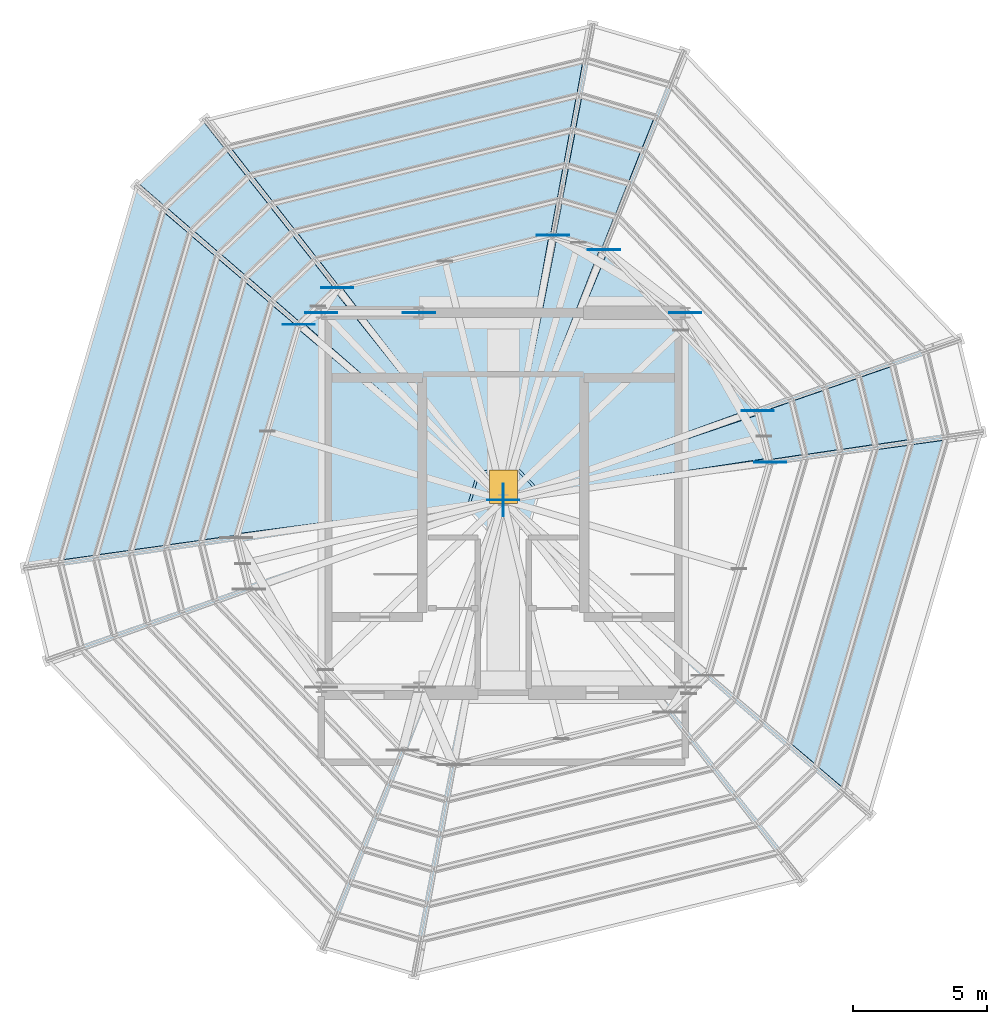
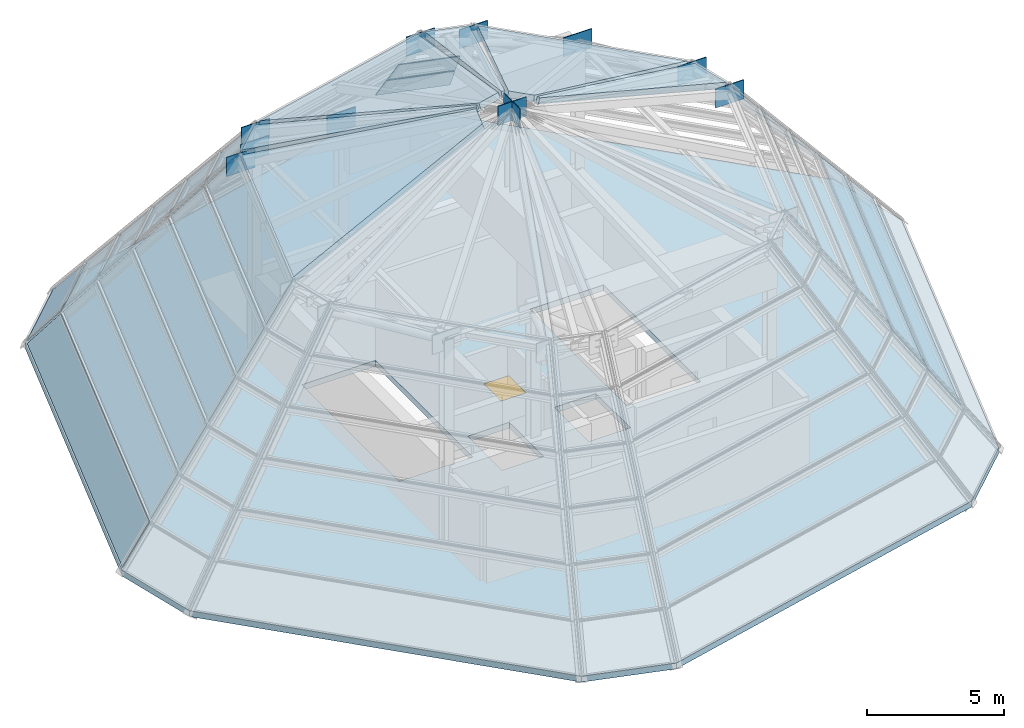
# One storey, part 11 of 13: 38 plates, 7 slabs, 1 door, 1 opening, 27 elements without a shape of their own.
"""IFC4 building model written with IfcOpenShell, lengths in metres."""

from ifc_helpers import new_model, si_unit, direction, frame, origin, origin_2d, place, context, subcontext, project, spatial, polyline, rectangle, outline, extrude, source, transform, mapped, material, layer, layer_set, type_object, element, fill, aggregate, save


model = new_model("IFC4")

# Units and contexts
model_context = context("Model", 3, precision=1e-05, world=origin(), true_north=direction((0.0, 1.0)))
body_context = subcontext(model_context, "Body", "Model", "MODEL_VIEW")
ifc_project = project(units=[si_unit("LENGTHUNIT", "METRE"), si_unit("AREAUNIT", "SQUARE_METRE"), si_unit("VOLUMEUNIT", "CUBIC_METRE"), si_unit("PLANEANGLEUNIT", "RADIAN"), si_unit("MASSUNIT", "GRAM", prefix="KILO")], contexts=[model_context])

# Site, building, storey
site_placement = place(None, origin())
site = spatial("IfcSite", under=ifc_project, at=site_placement, CompositionType="ELEMENT")
building_placement = place(site_placement, origin())
building = spatial("IfcBuilding", under=site, at=building_placement, Name="Veraguas Prism Commons", CompositionType="ELEMENT")
storey_placement = place(building_placement, frame((0.0, 0.0, 268.89990234375)))
storey = spatial("IfcBuildingStorey", under=building, at=storey_placement, Name="RF", CompositionType="ELEMENT", Elevation=268.89990234375)

# Curtain wall, plate
ifc_material_1 = material(Name="Anodised aluminium EN AW-6063 T6", Category="aluminium")
ifc_layer_1 = layer(ifc_material_1, 0.199951171875, Name="Faceted Glass Point Crown Curtain Wall", Category="aluminium")
ifc_layer_set_1 = layer_set([ifc_layer_1], Name="Anodised aluminium EN AW-6063 T6")
curtain_wall_type = type_object("IfcCurtainWallType", Name="Faceted Glass Point Crown Curtain Wall", PredefinedType="NOTDEFINED", material=ifc_layer_set_1)
curtain_wall_1_placement = place(storey_placement, origin())
curtain_wall_1 = element("IfcCurtainWall", 1, at=curtain_wall_1_placement, inside=storey, type_object=curtain_wall_type, Name="Crown Glass-Point Facet T1-F05", PredefinedType="NOTDEFINED")
ifc_material_2 = material(Name="Laminated low-e glass", Category="glass")
ifc_layer_2 = layer(ifc_material_2, 0.035888671875, Name="Faceted Crown Laminated Glazed Panel 36", Category="glass")
ifc_layer_set_2 = layer_set([ifc_layer_2], Name="Laminated low-e glass")
plate_type_1 = type_object("IfcPlateType", Name="Faceted Crown Laminated Glazed Panel 36", PredefinedType="CURTAIN_PANEL", material=ifc_layer_set_2)
plate_1_placement = place(storey_placement, frame((12.813232421875, 38.11083984375, 0.050048828125), z_axis=(-0.530192471022, 0.554401907161, 0.641509523707), x_axis=(-0.722708915875, -0.691152532303, 2.269819e-06)))
plate_1 = element("IfcPlate", 2, at=plate_1_placement, type_object=plate_type_1, Name="CW-CRN Panel 1.1", PredefinedType="CURTAIN_PANEL", context=body_context, shape_type="SweptSolid", body=[
    extrude(outline(polyline([(0.0, 0.0), (3.3349609375, 0.0), (3.21826171875, 1.933837890625), (0.116943359375, 1.933837890625), (0.0, 0.0)])), origin(), (0.0, 0.0, -1.0), 0.035888671875),
])
aggregate(curtain_wall_1, [plate_1])

curtain_wall_2_placement = place(storey_placement, origin())
curtain_wall_2 = element("IfcCurtainWall", 3, at=curtain_wall_2_placement, inside=storey, type_object=curtain_wall_type, Name="Crown Glass-Point Facet T1-F06", PredefinedType="NOTDEFINED")
plate_2_placement = place(storey_placement, frame((10.29296875, 35.624755859375, 0.050048828125), z_axis=(-0.762156839558, 0.222579083692, 0.607927218849), x_axis=(-0.280327366951, -0.959904457399, 2.030708e-06)))
plate_2 = element("IfcPlate", 4, at=plate_2_placement, type_object=plate_type_1, Name="CW-CRN Panel 1.1", PredefinedType="CURTAIN_PANEL", context=body_context, shape_type="SweptSolid", body=[
    extrude(outline(polyline([(0.0, 0.0), (14.63232421875, 0.0), (14.125, 1.8681640625), (0.507568359375, 1.868408203125), (0.0, 0.0)])), origin(), (0.0, 0.0, -1.0), 0.035888671875),
])
aggregate(curtain_wall_2, [plate_2])

curtain_wall_3_placement = place(storey_placement, origin())
curtain_wall_3 = element("IfcCurtainWall", 5, at=curtain_wall_3_placement, inside=storey, type_object=curtain_wall_type, Name="Crown Glass-Point Facet T2-F04", PredefinedType="NOTDEFINED")
plate_3_placement = place(storey_placement, frame((26.968505859375, 40.375, 1.63330078125), z_axis=(-0.188314787671, 0.771329573758, 0.60793768545), x_axis=(-0.971466584285, -0.237176465143, -4.96407e-07)))
plate_3 = element("IfcPlate", 6, at=plate_3_placement, type_object=plate_type_1, Name="CW-CRN Panel 1.1", PredefinedType="CURTAIN_PANEL", context=body_context, shape_type="SweptSolid", body=[
    extrude(outline(polyline([(0.0, 0.0), (13.53515625, 0.0), (13.028076171875, 1.868408203125), (0.507080078125, 1.868408203125), (0.0, 0.0)])), origin(), (0.0, 0.0, -1.0), 0.035888671875),
])
aggregate(curtain_wall_3, [plate_3])

curtain_wall_4_placement = place(storey_placement, origin())
curtain_wall_4 = element("IfcCurtainWall", 7, at=curtain_wall_4_placement, inside=storey, type_object=curtain_wall_type, Name="Crown Glass-Point Facet T2-F05", PredefinedType="NOTDEFINED")
plate_4_placement = place(storey_placement, frame((13.63330078125, 37.06298828125, 1.63330078125), z_axis=(-0.530166145332, 0.554336602364, 0.64158771), x_axis=(-0.72267889897, -0.691183918216, 1.3495665e-05)))
plate_4 = element("IfcPlate", 8, at=plate_4_placement, type_object=plate_type_1, Name="CW-CRN Panel 1.1", PredefinedType="CURTAIN_PANEL", context=body_context, shape_type="SweptSolid", body=[
    extrude(outline(polyline([(0.0, 0.0), (3.072021484375, 0.0), (2.955810546875, 1.933837890625), (0.1162109375, 1.933837890625), (0.0, 0.0)])), origin(), (0.0, 0.0, -1.0), 0.035888671875),
])
aggregate(curtain_wall_4, [plate_4])

curtain_wall_5_placement = place(storey_placement, origin())
curtain_wall_5 = element("IfcCurtainWall", 9, at=curtain_wall_5_placement, inside=storey, type_object=curtain_wall_type, Name="Crown Glass-Point Facet T2-F06", PredefinedType="NOTDEFINED")
plate_5_placement = place(storey_placement, frame((11.302978515625, 34.75830078125, 1.63330078125), z_axis=(-0.762128702053, 0.222567439828, 0.607966755863), x_axis=(-0.280323840607, -0.959905487215, 1.41779e-06)))
plate_5 = element("IfcPlate", 10, at=plate_5_placement, type_object=plate_type_1, Name="CW-CRN Panel 1.1", PredefinedType="CURTAIN_PANEL", context=body_context, shape_type="SweptSolid", body=[
    extrude(outline(polyline([(0.0, 0.0), (13.53515625, 0.0), (13.028076171875, 1.868408203125), (0.507080078125, 1.868408203125), (0.0, 0.0)])), origin(), (0.0, 0.0, -1.0), 0.035888671875),
])
aggregate(curtain_wall_5, [plate_5])

curtain_wall_6_placement = place(storey_placement, origin())
curtain_wall_6 = element("IfcCurtainWall", 11, at=curtain_wall_6_placement, inside=storey, type_object=curtain_wall_type, Name="Crown Glass-Point Facet T2-F12", PredefinedType="NOTDEFINED")
plate_6_placement = place(storey_placement, frame((36.697021484375, 13.24169921875, 1.63330078125), z_axis=(0.762128702053, -0.222567439828, 0.607966755863), x_axis=(0.280323840607, 0.959905487215, 1.41779e-06)))
plate_6 = element("IfcPlate", 12, at=plate_6_placement, type_object=plate_type_1, Name="CW-CRN Panel 1.1", PredefinedType="CURTAIN_PANEL", context=body_context, shape_type="SweptSolid", body=[
    extrude(outline(polyline([(0.0, 0.0), (13.53515625, 0.0), (13.028076171875, 1.868408203125), (0.507080078125, 1.868408203125), (0.0, 0.0)])), origin(), (0.0, 0.0, -1.0), 0.035888671875),
])
aggregate(curtain_wall_6, [plate_6])

curtain_wall_7_placement = place(storey_placement, origin())
curtain_wall_7 = element("IfcCurtainWall", 13, at=curtain_wall_7_placement, inside=storey, type_object=curtain_wall_type, Name="Crown Glass-Point Facet T3-F01", PredefinedType="NOTDEFINED")
plate_7_placement = place(storey_placement, frame((39.178466796875, 26.259765625, 3.216796875), z_axis=(0.745168853388, 0.181938413893, 0.641577581818), x_axis=(-0.237175192266, 0.97146689488, -1.8049152e-05)))
plate_7 = element("IfcPlate", 14, at=plate_7_placement, type_object=plate_type_1, Name="CW-CRN Panel 1.1", PredefinedType="CURTAIN_PANEL", context=body_context, shape_type="SweptSolid", body=[
    extrude(outline(polyline([(0.0, 0.0), (2.809326171875, 0.0), (2.693603515625, 1.933837890625), (0.11572265625, 1.933837890625), (0.0, 0.0)])), origin(), (0.0, 0.0, -1.0), 0.035888671875),
])
aggregate(curtain_wall_7, [plate_7])

curtain_wall_8_placement = place(storey_placement, origin())
curtain_wall_8 = element("IfcCurtainWall", 15, at=curtain_wall_8_placement, inside=storey, type_object=curtain_wall_type, Name="Crown Glass-Point Facet T3-F03", PredefinedType="NOTDEFINED")
plate_8_placement = place(storey_placement, frame((29.632080078125, 38.27490234375, 3.216796875), z_axis=(0.215020902791, 0.736355334199, 0.641519160399), x_axis=(-0.959914231722, 0.28029389515, 8.916132e-06)))
plate_8 = element("IfcPlate", 16, at=plate_8_placement, type_object=plate_type_1, Name="CW-CRN Panel 1.1", PredefinedType="CURTAIN_PANEL", context=body_context, shape_type="SweptSolid", body=[
    extrude(outline(polyline([(0.0, 0.0), (2.80908203125, 0.0), (2.693603515625, 1.933837890625), (0.11572265625, 1.933837890625), (0.0, 0.0)])), origin(), (0.0, 0.0, -1.0), 0.035888671875),
])
aggregate(curtain_wall_8, [plate_8])

curtain_wall_9_placement = place(storey_placement, origin())
curtain_wall_9 = element("IfcCurtainWall", 17, at=curtain_wall_9_placement, inside=storey, type_object=curtain_wall_type, Name="Crown Glass-Point Facet T3-F04", PredefinedType="NOTDEFINED")
plate_9_placement = place(storey_placement, frame((26.72314453125, 39.067138671875, 3.216796875), z_axis=(-0.18832144349, 0.771335648759, 0.607927915855), x_axis=(-0.971464093517, -0.23718666696, 4.953295e-06)))
plate_9 = element("IfcPlate", 18, at=plate_9_placement, type_object=plate_type_1, Name="CW-CRN Panel 1.1", PredefinedType="CURTAIN_PANEL", context=body_context, shape_type="SweptSolid", body=[
    extrude(outline(polyline([(0.0, 0.0), (12.43798828125, 0.0), (11.931640625, 1.8681640625), (0.506591796875, 1.868408203125), (0.0, 0.0)])), origin(), (0.0, 0.0, -1.0), 0.035888671875),
])
aggregate(curtain_wall_9, [plate_9])

curtain_wall_10_placement = place(storey_placement, origin())
curtain_wall_10 = element("IfcCurtainWall", 19, at=curtain_wall_10_placement, inside=storey, type_object=curtain_wall_type, Name="Crown Glass-Point Facet T3-F05", PredefinedType="NOTDEFINED")
plate_10_placement = place(storey_placement, frame((14.45361328125, 36.014892578125, 3.216796875), z_axis=(-0.530201683101, 0.554363388547, 0.641535196756), x_axis=(-0.722690856654, -0.691171415331, -1.8363279e-05)))
plate_10 = element("IfcPlate", 20, at=plate_10_placement, type_object=plate_type_1, Name="CW-CRN Panel 1.1", PredefinedType="CURTAIN_PANEL", context=body_context, shape_type="SweptSolid", body=[
    extrude(outline(polyline([(0.0, 0.0), (2.808837890625, 0.0), (2.693603515625, 1.933837890625), (0.115478515625, 1.933837890625), (0.0, 0.0)])), origin(), (0.0, 0.0, -1.0), 0.035888671875),
])
aggregate(curtain_wall_10, [plate_10])

curtain_wall_11_placement = place(storey_placement, origin())
curtain_wall_11 = element("IfcCurtainWall", 21, at=curtain_wall_11_placement, inside=storey, type_object=curtain_wall_type, Name="Crown Glass-Point Facet T3-F06", PredefinedType="NOTDEFINED")
plate_11_placement = place(storey_placement, frame((12.31298828125, 33.891845703125, 3.216796875), z_axis=(-0.76212760774, 0.222571186725, 0.607966755966), x_axis=(-0.280325616347, -0.959904968625, 5.422393e-06)))
plate_11 = element("IfcPlate", 22, at=plate_11_placement, type_object=plate_type_1, Name="CW-CRN Panel 1.1", PredefinedType="CURTAIN_PANEL", context=body_context, shape_type="SweptSolid", body=[
    extrude(outline(polyline([(0.0, 0.0), (12.43798828125, 0.0), (11.931396484375, 1.8681640625), (0.506591796875, 1.868408203125), (0.0, 0.0)])), origin(), (0.0, 0.0, -1.0), 0.035888671875),
])
aggregate(curtain_wall_11, [plate_11])

curtain_wall_12_placement = place(storey_placement, origin())
curtain_wall_12 = element("IfcCurtainWall", 23, at=curtain_wall_12_placement, inside=storey, type_object=curtain_wall_type, Name="Crown Glass-Point Facet T3-F12", PredefinedType="NOTDEFINED")
plate_12_placement = place(storey_placement, frame((35.68701171875, 14.108154296875, 3.216796875), z_axis=(0.76212760774, -0.222571186725, 0.607966755966), x_axis=(0.280325616347, 0.959904968625, 5.422393e-06)))
plate_12 = element("IfcPlate", 24, at=plate_12_placement, type_object=plate_type_1, Name="CW-CRN Panel 1.1", PredefinedType="CURTAIN_PANEL", context=body_context, shape_type="SweptSolid", body=[
    extrude(outline(polyline([(0.0, 0.0), (12.43798828125, 0.0), (11.931396484375, 1.8681640625), (0.506591796875, 1.868408203125), (0.0, 0.0)])), origin(), (0.0, 0.0, -1.0), 0.035888671875),
])
aggregate(curtain_wall_12, [plate_12])

curtain_wall_13_placement = place(storey_placement, origin())
curtain_wall_13 = element("IfcCurtainWall", 25, at=curtain_wall_13_placement, inside=storey, type_object=curtain_wall_type, Name="Crown Glass-Point Facet T4-F01", PredefinedType="NOTDEFINED")
plate_13_placement = place(storey_placement, frame((37.86083984375, 26.073486328125, 4.800048828125), z_axis=(0.745200392027, 0.181967537588, 0.641532688946), x_axis=(-0.237212750387, 0.97145772478, -4.263956e-06)))
plate_13 = element("IfcPlate", 26, at=plate_13_placement, type_object=plate_type_1, Name="CW-CRN Panel 1.1", PredefinedType="CURTAIN_PANEL", context=body_context, shape_type="SweptSolid", body=[
    extrude(outline(polyline([(0.0, 0.0), (2.54638671875, 0.0), (2.431640625, 1.933837890625), (0.114990234375, 1.933837890625), (0.0, 0.0)])), origin(), (0.0, 0.0, -1.0), 0.035888671875),
])
aggregate(curtain_wall_13, [plate_13])

curtain_wall_14_placement = place(storey_placement, origin())
curtain_wall_14 = element("IfcCurtainWall", 27, at=curtain_wall_14_placement, inside=storey, type_object=curtain_wall_type, Name="Crown Glass-Point Facet T4-F03", PredefinedType="NOTDEFINED")
plate_14_placement = place(storey_placement, frame((29.134765625, 37.04052734375, 4.800048828125), z_axis=(0.215083270558, 0.736328045312, 0.641529575634), x_axis=(-0.959889997247, 0.280376876844, 1.0790316e-05)))
plate_14 = element("IfcPlate", 28, at=plate_14_placement, type_object=plate_type_1, Name="CW-CRN Panel 1.1", PredefinedType="CURTAIN_PANEL", context=body_context, shape_type="SweptSolid", body=[
    extrude(outline(polyline([(0.0, 0.0), (2.546142578125, 0.0), (2.431640625, 1.933837890625), (0.11474609375, 1.933837890625), (0.0, 0.0)])), origin(), (0.0, 0.0, -1.0), 0.035888671875),
])
aggregate(curtain_wall_14, [plate_14])

curtain_wall_15_placement = place(storey_placement, origin())
curtain_wall_15 = element("IfcCurtainWall", 29, at=curtain_wall_15_placement, inside=storey, type_object=curtain_wall_type, Name="Crown Glass-Point Facet T4-F04", PredefinedType="NOTDEFINED")
plate_15_placement = place(storey_placement, frame((26.477783203125, 37.75927734375, 4.800048828125), z_axis=(-0.18832553901, 0.771326948759, 0.607937685519), x_axis=(-0.971463393157, -0.237189535507, -1.129137e-06)))
plate_15 = element("IfcPlate", 30, at=plate_15_placement, type_object=plate_type_1, Name="CW-CRN Panel 1.1", PredefinedType="CURTAIN_PANEL", context=body_context, shape_type="SweptSolid", body=[
    extrude(outline(polyline([(0.0, 0.0), (11.341064453125, 0.0), (10.8349609375, 1.868408203125), (0.506103515625, 1.8681640625), (0.0, 0.0)])), origin(), (0.0, 0.0, -1.0), 0.035888671875),
])
aggregate(curtain_wall_15, [plate_15])

curtain_wall_16_placement = place(storey_placement, origin())
curtain_wall_16 = element("IfcCurtainWall", 31, at=curtain_wall_16_placement, inside=storey, type_object=curtain_wall_type, Name="Crown Glass-Point Facet T4-F05", PredefinedType="NOTDEFINED")
plate_16_placement = place(storey_placement, frame((15.273681640625, 34.967041015625, 4.800048828125), z_axis=(-0.530204260065, 0.554391988913, 0.641508351652), x_axis=(-0.722680795554, -0.691181934812, 2.6953774e-05)))
plate_16 = element("IfcPlate", 32, at=plate_16_placement, type_object=plate_type_1, Name="CW-CRN Panel 1.1", PredefinedType="CURTAIN_PANEL", context=body_context, shape_type="SweptSolid", body=[
    extrude(outline(polyline([(0.0, 0.0), (2.5458984375, 0.0), (2.431396484375, 1.93359375), (0.11474609375, 1.933837890625), (0.0, 0.0)])), origin(), (0.0, 0.0, -1.0), 0.035888671875),
])
aggregate(curtain_wall_16, [plate_16])

curtain_wall_17_placement = place(storey_placement, origin())
curtain_wall_17 = element("IfcCurtainWall", 33, at=curtain_wall_17_placement, inside=storey, type_object=curtain_wall_type, Name="Crown Glass-Point Facet T4-F06", PredefinedType="NOTDEFINED")
plate_17_placement = place(storey_placement, frame((13.322998046875, 33.025146484375, 4.800048828125), z_axis=(-0.762135481487, 0.222575763502, 0.607955209995), x_axis=(-0.280335324197, -0.959902133548, -4.189492e-06)))
plate_17 = element("IfcPlate", 34, at=plate_17_placement, type_object=plate_type_1, Name="CW-CRN Panel 1.1", PredefinedType="CURTAIN_PANEL", context=body_context, shape_type="SweptSolid", body=[
    extrude(outline(polyline([(0.0, 0.0), (11.340576171875, 0.0), (10.834716796875, 1.868408203125), (0.505615234375, 1.8681640625), (0.0, 0.0)])), origin(), (0.0, 0.0, -1.0), 0.035888671875),
])
aggregate(curtain_wall_17, [plate_17])

curtain_wall_18_placement = place(storey_placement, origin())
curtain_wall_18 = element("IfcCurtainWall", 35, at=curtain_wall_18_placement, inside=storey, type_object=curtain_wall_type, Name="Crown Glass-Point Facet T5-F01", PredefinedType="NOTDEFINED")
plate_18_placement = place(storey_placement, frame((36.543212890625, 25.88720703125, 6.38330078125), z_axis=(0.745206636865, 0.181941958665, 0.641532689775), x_axis=(-0.237178724527, 0.971466032657, -5.102026e-06)))
plate_18 = element("IfcPlate", 36, at=plate_18_placement, type_object=plate_type_1, Name="CW-CRN Panel 1.1", PredefinedType="CURTAIN_PANEL", context=body_context, shape_type="SweptSolid", body=[
    extrude(outline(polyline([(0.0, 0.0), (2.283203125, 0.0), (2.16943359375, 1.933837890625), (0.11376953125, 1.933837890625), (0.0, 0.0)])), origin(), (0.0, 0.0, -1.0), 0.035888671875),
])
aggregate(curtain_wall_18, [plate_18])

curtain_wall_19_placement = place(storey_placement, origin())
curtain_wall_19 = element("IfcCurtainWall", 37, at=curtain_wall_19_placement, inside=storey, type_object=curtain_wall_type, Name="Crown Glass-Point Facet T5-F03", PredefinedType="NOTDEFINED")
plate_19_placement = place(storey_placement, frame((28.63720703125, 35.806396484375, 6.38330078125), z_axis=(0.215052564473, 0.736324095702, 0.641544402674), x_axis=(-0.959895986931, 0.280356370022, -7.882563e-06)))
plate_19 = element("IfcPlate", 38, at=plate_19_placement, type_object=plate_type_1, Name="CW-CRN Panel 1.1", PredefinedType="CURTAIN_PANEL", context=body_context, shape_type="SweptSolid", body=[
    extrude(outline(polyline([(0.0, 0.0), (2.283203125, 0.0), (2.169189453125, 1.933837890625), (0.11376953125, 1.933837890625), (0.0, 0.0)])), origin(), (0.0, 0.0, -1.0), 0.035888671875),
])
aggregate(curtain_wall_19, [plate_19])

curtain_wall_20_placement = place(storey_placement, origin())
curtain_wall_20 = element("IfcCurtainWall", 39, at=curtain_wall_20_placement, inside=storey, type_object=curtain_wall_type, Name="Crown Glass-Point Facet T5-F04", PredefinedType="NOTDEFINED")
plate_20_placement = place(storey_placement, frame((26.232177734375, 36.451171875, 6.38330078125), z_axis=(-0.188318364248, 0.771297162607, 0.607977697487), x_axis=(-0.971464449727, -0.237185207942, -7.102563e-06)))
plate_20 = element("IfcPlate", 40, at=plate_20_placement, type_object=plate_type_1, Name="CW-CRN Panel 1.1", PredefinedType="CURTAIN_PANEL", context=body_context, shape_type="SweptSolid", body=[
    extrude(outline(polyline([(0.0, 0.0), (10.2431640625, 0.0), (9.73828125, 1.868408203125), (0.5048828125, 1.8681640625), (0.0, 0.0)])), origin(), (0.0, 0.0, -1.0), 0.035888671875),
])
aggregate(curtain_wall_20, [plate_20])

curtain_wall_21_placement = place(storey_placement, origin())
curtain_wall_21 = element("IfcCurtainWall", 41, at=curtain_wall_21_placement, inside=storey, type_object=curtain_wall_type, Name="Crown Glass-Point Facet T5-F05", PredefinedType="NOTDEFINED")
plate_21_placement = place(storey_placement, frame((16.093994140625, 33.919189453125, 6.38330078125), z_axis=(-0.530181364375, 0.554353111021, 0.64156086942), x_axis=(-0.722693311324, -0.691168848872, -1.0792756e-05)))
plate_21 = element("IfcPlate", 42, at=plate_21_placement, type_object=plate_type_1, Name="CW-CRN Panel 1.1", PredefinedType="CURTAIN_PANEL", context=body_context, shape_type="SweptSolid", body=[
    extrude(outline(polyline([(0.0, 0.0), (2.283203125, 0.0), (2.169189453125, 1.933837890625), (0.114013671875, 1.933837890625), (0.0, 0.0)])), origin(), (0.0, 0.0, -1.0), 0.035888671875),
])
aggregate(curtain_wall_21, [plate_21])

curtain_wall_22_placement = place(storey_placement, origin())
curtain_wall_22 = element("IfcCurtainWall", 43, at=curtain_wall_22_placement, inside=storey, type_object=curtain_wall_type, Name="Crown Glass-Point Facet T5-F06", PredefinedType="NOTDEFINED")
plate_22_placement = place(storey_placement, frame((14.3330078125, 32.15869140625, 6.38330078125), z_axis=(-0.762167250568, 0.222574972243, 0.607915671695), x_axis=(-0.280319118075, -0.959906866335, 1.961828e-06)))
plate_22 = element("IfcPlate", 44, at=plate_22_placement, type_object=plate_type_1, Name="CW-CRN Panel 1.1", PredefinedType="CURTAIN_PANEL", context=body_context, shape_type="SweptSolid", body=[
    extrude(outline(polyline([(0.0, 0.0), (10.2431640625, 0.0), (9.73828125, 1.8681640625), (0.5048828125, 1.8681640625), (0.0, 0.0)])), origin(), (0.0, 0.0, -1.0), 0.035888671875),
])
aggregate(curtain_wall_22, [plate_22])

curtain_wall_23_placement = place(storey_placement, origin())
curtain_wall_23 = element("IfcCurtainWall", 45, at=curtain_wall_23_placement, inside=storey, type_object=curtain_wall_type, Name="Crown Glass-Point Facet T6-F01", PredefinedType="NOTDEFINED")
plate_23_placement = place(storey_placement, frame((35.2255859375, 25.700927734375, 7.966796875), z_axis=(0.745232603333, 0.181962842796, 0.641496602307), x_axis=(-0.237218036796, 0.971456433695, 2.1264013e-05)))
plate_23 = element("IfcPlate", 46, at=plate_23_placement, type_object=plate_type_1, Name="CW-CRN Panel 1.1", PredefinedType="CURTAIN_PANEL", context=body_context, shape_type="SweptSolid", body=[
    extrude(outline(polyline([(0.0, 0.0), (2.02001953125, 0.0), (1.9072265625, 1.93359375), (0.113037109375, 1.933837890625), (0.0, 0.0)])), origin(), (0.0, 0.0, -1.0), 0.035888671875),
])
aggregate(curtain_wall_23, [plate_23])

curtain_wall_24_placement = place(storey_placement, origin())
curtain_wall_24 = element("IfcCurtainWall", 47, at=curtain_wall_24_placement, inside=storey, type_object=curtain_wall_type, Name="Crown Glass-Point Facet T6-F03", PredefinedType="NOTDEFINED")
plate_24_placement = place(storey_placement, frame((28.1396484375, 34.572021484375, 7.966796875), z_axis=(0.215047433724, 0.73631652136, 0.641554815756), x_axis=(-0.959892538653, 0.280368174927, -2.6953541e-05)))
plate_24 = element("IfcPlate", 48, at=plate_24_placement, type_object=plate_type_1, Name="CW-CRN Panel 1.1", PredefinedType="CURTAIN_PANEL", context=body_context, shape_type="SweptSolid", body=[
    extrude(outline(polyline([(0.0, 0.0), (2.02001953125, 0.0), (1.906982421875, 1.933837890625), (0.11279296875, 1.933837890625), (0.0, 0.0)])), origin(), (0.0, 0.0, -1.0), 0.035888671875),
])
aggregate(curtain_wall_24, [plate_24])

curtain_wall_25_placement = place(storey_placement, origin())
curtain_wall_25 = element("IfcCurtainWall", 49, at=curtain_wall_25_placement, inside=storey, type_object=curtain_wall_type, Name="Crown Glass-Point Facet T6-F04", PredefinedType="NOTDEFINED")
plate_25_placement = place(storey_placement, frame((25.986572265625, 35.14306640625, 7.966796875), z_axis=(-0.188320578333, 0.771328159948, 0.607937685497), x_axis=(-0.971464487956, -0.237185051465, 1.242087e-06)))
plate_25 = element("IfcPlate", 50, at=plate_25_placement, type_object=plate_type_1, Name="CW-CRN Panel 1.1", PredefinedType="CURTAIN_PANEL", context=body_context, shape_type="SweptSolid", body=[
    extrude(outline(polyline([(0.0, 0.0), (9.1455078125, 0.0), (8.641845703125, 1.8681640625), (0.503662109375, 1.868408203125), (0.0, 0.0)])), origin(), (0.0, 0.0, -1.0), 0.035888671875),
])
aggregate(curtain_wall_25, [plate_25])

curtain_wall_26_placement = place(storey_placement, origin())
curtain_wall_26 = element("IfcCurtainWall", 51, at=curtain_wall_26_placement, inside=storey, type_object=curtain_wall_type, Name="Crown Glass-Point Facet T6-F05", PredefinedType="NOTDEFINED")
plate_26_placement = place(storey_placement, frame((16.9140625, 32.87109375, 7.966796875), z_axis=(-0.530187964213, 0.554345445079, 0.641562039186), x_axis=(-0.722689054348, -0.691173299802, -1.9122045e-05)))
plate_26 = element("IfcPlate", 52, at=plate_26_placement, type_object=plate_type_1, Name="CW-CRN Panel 1.1", PredefinedType="CURTAIN_PANEL", context=body_context, shape_type="SweptSolid", body=[
    extrude(outline(polyline([(0.0, 0.0), (2.019775390625, 0.0), (1.9072265625, 1.933837890625), (0.11279296875, 1.933837890625), (0.0, 0.0)])), origin(), (0.0, 0.0, -1.0), 0.035888671875),
])
aggregate(curtain_wall_26, [plate_26])

curtain_wall_27_placement = place(storey_placement, origin())
curtain_wall_27 = element("IfcCurtainWall", 53, at=curtain_wall_27_placement, inside=storey, type_object=curtain_wall_type, Name="Crown Glass-Point Facet T6-F06", PredefinedType="NOTDEFINED")
plate_27_placement = place(storey_placement, frame((15.343017578125, 31.2919921875, 7.966796875), z_axis=(-0.762126184048, 0.222576061344, 0.607966756086), x_axis=(-0.280332127556, -0.959903067104, 4.916893e-06)))
plate_27 = element("IfcPlate", 54, at=plate_27_placement, type_object=plate_type_1, Name="CW-CRN Panel 1.1", PredefinedType="CURTAIN_PANEL", context=body_context, shape_type="SweptSolid", body=[
    extrude(outline(polyline([(0.0, 0.0), (9.1455078125, 0.0), (8.641845703125, 1.868408203125), (0.503662109375, 1.868408203125), (0.0, 0.0)])), origin(), (0.0, 0.0, -1.0), 0.035888671875),
])
aggregate(curtain_wall_27, [plate_27])

# Slab, opening, door
ifc_material_3 = material(Name="Concrete C45/55", Category="concrete")
ifc_layer_3 = layer(ifc_material_3, 0.260009765625, Name="Podium Clinic and Crown Roof Slab RC 260", Category="concrete")
ifc_layer_set_3 = layer_set([ifc_layer_3], Name="Concrete C45/55")
slab_type = type_object("IfcSlabType", Name="Podium Clinic and Crown Roof Slab RC 260", PredefinedType="ROOF", material=ifc_layer_set_3)
slab_1_placement = place(storey_placement, frame((0.0, 0.0, -0.260009765625)))
slab_1 = element("IfcSlab", 55, at=slab_1_placement, inside=storey, type_object=slab_type, Name="Crown Base Deck Slab RF", PredefinedType="ROOF", context=body_context, shape_type="SweptSolid", body=[
    extrude(outline(polyline([(41.88134765625, 26.531982421875), (41.036376953125, 29.992919921875), (30.747802734375, 40.751708984375), (27.328125, 41.750244140625), (12.86669921875, 38.219482421875), (10.2919921875, 35.757568359375), (6.11865234375, 21.468017578125), (6.963623046875, 18.007080078125), (17.252197265625, 7.248291015625), (20.671875, 6.249755859375), (35.13330078125, 9.780517578125), (37.7080078125, 12.242431640625), (41.88134765625, 26.531982421875)]), holes=[polyline([(20.800048828125, 21.31005859375), (20.800048828125, 28.39990234375), (17.68994140625, 28.39990234375), (17.68994140625, 21.31005859375), (20.800048828125, 21.31005859375)]), polyline([(30.39990234375, 21.31005859375), (30.39990234375, 28.39990234375), (27.2900390625, 28.39990234375), (27.2900390625, 21.31005859375), (30.39990234375, 21.31005859375)]), polyline([(21.300048828125, 20.050048828125), (23.050048828125, 20.050048828125), (23.050048828125, 22.550048828125), (21.300048828125, 22.550048828125), (21.300048828125, 20.050048828125)]), polyline([(24.949951171875, 20.050048828125), (26.699951171875, 20.050048828125), (26.699951171875, 22.550048828125), (24.949951171875, 22.550048828125), (24.949951171875, 20.050048828125)])]), origin(), (0.0, 0.0, 1.0), 0.260009765625),
])
opening_placement = place(slab_1_placement, frame((24.0, 24.5, -0.010009765625)))
opening = element("IfcOpeningElement", 56, at=opening_placement, cuts=slab_1, Name="Opening DR-RF01", PredefinedType="OPENING", context=body_context, shape_type="SweptSolid", body=[
    extrude(rectangle(XDim=1.050048828125, YDim=1.25, at=origin_2d()), origin(), (0.0, 0.0, 1.0), 0.280029296875),
])
door_type = type_object("IfcDoorType", Name="Crown Roof Maintenance Access Hatch 1050x1250", OperationType="NOTDEFINED", PredefinedType="TRAPDOOR", material=ifc_material_1)
door_placement = place(slab_1_placement, frame((24.0, 24.5, 0.2099609375)))
door = element("IfcDoor", 57, at=door_placement, inside=storey, type_object=door_type, Name="Crown Roof Maintenance Access Hatch", OperationType="SINGLE_SWING_LEFT", OverallHeight=1.25, OverallWidth=1.050048828125, PredefinedType="TRAPDOOR", context=body_context, shape_type="SweptSolid", body=[
    extrude(rectangle(XDim=1.050048828125, YDim=1.25, at=origin_2d()), origin(), (0.0, 0.0, 1.0), 0.050048828125),
])
fill(opening, door)

# Slabs
slab_2_placement = place(storey_placement, frame((33.93798828125, 25.568115234375, 9.5), z_axis=(0.328283155811, 0.08018397271, 0.941169857216), x_axis=(-0.237201820863, 0.971460393122, -2.7828487e-05)))
element("IfcSlab", 58, at=slab_2_placement, inside=storey, type_object=slab_type, Name="Crown Pyramidal Apex Roof Facet 01", PredefinedType="ROOF", context=body_context, shape_type="SweptSolid", body=[
    extrude(outline(polyline([(0.0, 0.0), (1.66748046875, 0.0), (0.90185546875, 9.225830078125), (0.765625, 9.2255859375), (0.0, 0.0)])), origin(), (0.0, 0.0, -1.0), 0.260009765625),
])
slab_3_placement = place(storey_placement, frame((33.393798828125, 27.458984375, 9.5), z_axis=(0.263862638571, 0.252332439643, 0.930969842621), x_axis=(-0.691124957911, 0.72273528521, -8.059076e-06)))
element("IfcSlab", 59, at=slab_3_placement, inside=storey, type_object=slab_type, Name="Crown Pyramidal Apex Roof Facet 02", PredefinedType="ROOF", context=body_context, shape_type="SweptSolid", body=[
    extrude(outline(polyline([(0.0, 0.0), (7.98486328125, 0.0), (4.483642578125, 8.539306640625), (3.501220703125, 8.539306640625), (0.0, 0.0)])), origin(), (0.0, 0.0, -1.0), 0.260009765625),
])
slab_4_placement = place(storey_placement, frame((27.611083984375, 33.390380859375, 9.5), z_axis=(0.094740718854, 0.324387463734, 0.941167875335), x_axis=(-0.959889550478, 0.280378406364, -1.1277577e-05)))
element("IfcSlab", 60, at=slab_4_placement, inside=storey, type_object=slab_type, Name="Crown Pyramidal Apex Roof Facet 03", PredefinedType="ROOF", context=body_context, shape_type="SweptSolid", body=[
    extrude(outline(polyline([(0.0, 0.0), (1.66748046875, 0.0), (0.9013671875, 9.2255859375), (0.765380859375, 9.2255859375), (0.0, 0.0)])), origin(), (0.0, 0.0, -1.0), 0.260009765625),
])
slab_5_placement = place(storey_placement, frame((25.701416015625, 33.864990234375, 9.5), z_axis=(-0.086601734288, 0.354676493326, 0.93096977647), x_axis=(-0.971462012336, -0.237195190886, -2.939436e-06)))
element("IfcSlab", 61, at=slab_5_placement, inside=storey, type_object=slab_type, Name="Crown Pyramidal Apex Roof Facet 04", PredefinedType="ROOF", context=body_context, shape_type="SweptSolid", body=[
    extrude(outline(polyline([(0.0, 0.0), (7.985107421875, 0.0), (4.484130859375, 8.539306640625), (3.50146484375, 8.539306640625), (0.0, 0.0)])), origin(), (0.0, 0.0, -1.0), 0.260009765625),
])
slab_6_placement = place(storey_placement, frame((17.673095703125, 31.822509765625, 9.5), z_axis=(-0.233571770211, 0.244228167794, 0.941167801307), x_axis=(-0.722673582637, -0.691189476773, 1.2528616e-05)))
element("IfcSlab", 62, at=slab_6_placement, inside=storey, type_object=slab_type, Name="Crown Pyramidal Apex Roof Facet 05", PredefinedType="ROOF", context=body_context, shape_type="SweptSolid", body=[
    extrude(outline(polyline([(0.0, 0.0), (1.66748046875, 0.0), (0.902587890625, 9.2255859375), (0.766357421875, 9.2255859375), (0.0, 0.0)])), origin(), (0.0, 0.0, -1.0), 0.260009765625),
])
slab_7_placement = place(storey_placement, frame((16.307373046875, 30.40576171875, 9.5), z_axis=(-0.350460861875, 0.102348208818, 0.930968328379), x_axis=(-0.280315575684, -0.959907900789, 5.602796e-06)))
element("IfcSlab", 63, at=slab_7_placement, inside=storey, type_object=slab_type, Name="Crown Pyramidal Apex Roof Facet 06", PredefinedType="ROOF", context=body_context, shape_type="SweptSolid", body=[
    extrude(outline(polyline([(0.0, 0.0), (7.98486328125, 0.0), (4.484130859375, 8.5390625), (3.501220703125, 8.539306640625), (0.0, 0.0)])), origin(), (0.0, 0.0, -1.0), 0.260009765625),
])

# Plates
ifc_material_4 = material(Name="Steel ASTM A572 Grade 50", Category="steel")
ifc_layer_4 = layer(ifc_material_4, 0.034912109375, Name="Crown and Portal Stiffener Plate 1200x850x35", Category="steel")
ifc_layer_set_4 = layer_set([ifc_layer_4], Name="Steel ASTM A572 Grade 50")
plate_type_2 = type_object("IfcPlateType", Name="Crown and Portal Stiffener Plate 1200x850x35", PredefinedType="USERDEFINED", material=ifc_layer_set_4)
shared_shape = source(origin(), body_context, "Body", "SweptSolid", [
    extrude(rectangle(XDim=1.199951171875, YDim=0.034912109375, at=origin_2d()), origin(), (0.0, 0.0, 1.0), 0.85009765625),
])
for number, where, z_axis, x_axis, name in (
    (64, (33.975830078125, 25.41259765625, 8.64208984375), (0.0, 0.0, 1.0), (1.0, 0.0, 0.0), "Crown Eave Node Gusset Plate 01"),
    (65, (33.50439453125, 27.343505859375, 8.64208984375), (0.0, 0.0, 1.0), (1.0, 0.0, 0.0), "Crown Eave Node Gusset Plate 02"),
    (66, (27.7646484375, 33.345703125, 8.64208984375), (0.0, 0.0, 1.0), (1.0, 0.0, 0.0), "Crown Eave Node Gusset Plate 03"),
    (67, (25.856689453125, 33.90283203125, 8.64208984375), (0.0, 0.0, 1.0), (1.0, 0.0, 0.0), "Crown Eave Node Gusset Plate 04"),
    (68, (17.788818359375, 31.93310546875, 8.64208984375), (0.0, 0.0, 1.0), (1.0, 0.0, 0.0), "Crown Eave Node Gusset Plate 05"),
    (69, (16.352294921875, 30.559326171875, 8.64208984375), (0.0, 0.0, 1.0), (1.0, 0.0, 0.0), "Crown Eave Node Gusset Plate 06"),
    (70, (17.199951171875, 31.0, 8.64208984375), (0.0, 0.0, 1.0), (1.0, 0.0, 0.0), "Crown Core Collar Gusset Plate 04"),
    (71, (20.85009765625, 31.0, 8.64208984375), (0.0, 0.0, 1.0), (1.0, 0.0, 0.0), "Crown Core Collar Gusset Plate 05"),
    (72, (30.800048828125, 31.0, 8.64208984375), (0.0, 0.0, 1.0), (1.0, 0.0, 0.0), "Crown Core Collar Gusset Plate 06"),
    (73, (24.0, 24.0, 12.22509765625), (0.0, 0.0, 1.0), (1.0, 0.0, 0.0), "Crown Pyramidal Apex Hub Gusset Plate"),
    (74, (24.0, 24.0, 12.25), (0.0, 0.0, 1.0), (0.0, 1.0, 0.0), "Crown Pyramidal Apex Fin Gusset Plate"),
):
    element("IfcPlate", number, at=place(storey_placement, frame(where, z_axis=z_axis, x_axis=x_axis)), inside=storey, type_object=plate_type_2, Name=name, ObjectType="STIFFENER PLATE", PredefinedType="USERDEFINED", context=body_context, shape_type="MappedRepresentation", body=[
        mapped(shared_shape, transform((0.0, 0.0, 0.0), scale=1.0)),
    ])

save(model, "model.ifc")
